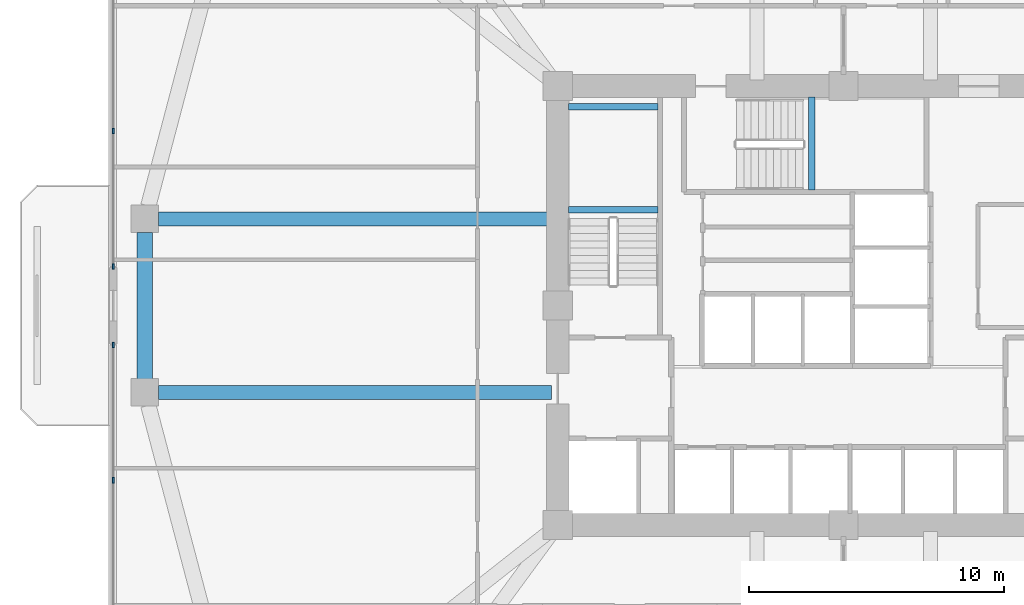
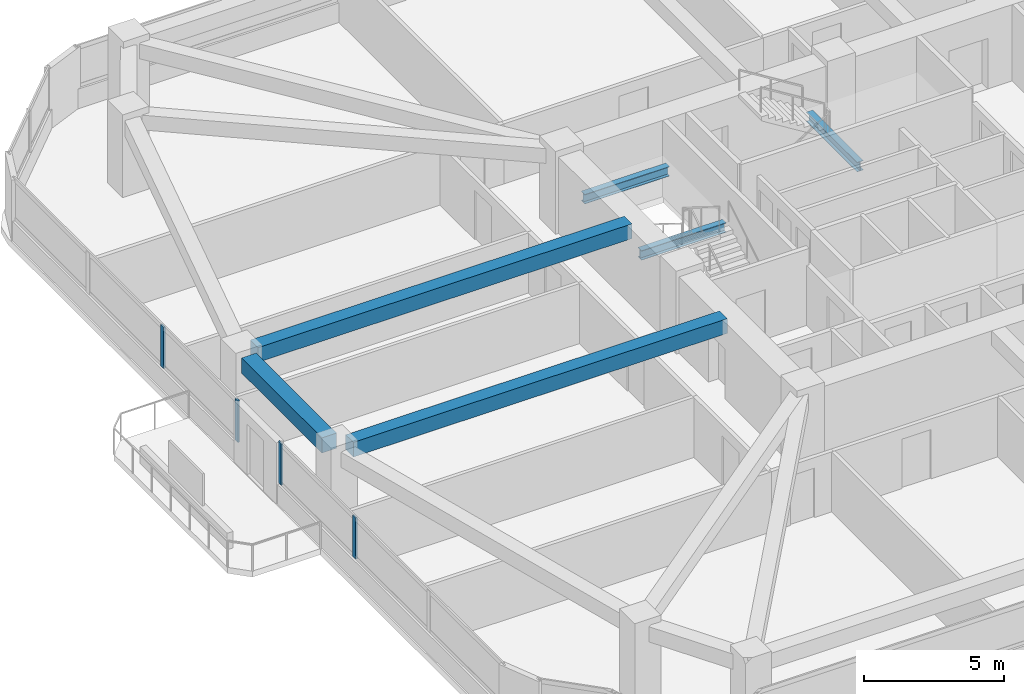
# One storey, part 4 of 15: 6 beams, 4 members, 2 elements without a shape of their own.
"""IFC4 building model written with IfcOpenShell, lengths in metres."""

from ifc_helpers import new_model, si_unit, derived_unit, direction, frame, origin, origin_2d, place, context, subcontext, project, spatial, rectangle, i_section, extrude, material, material_profile, profile_set, type_object, element, aggregate, save


model = new_model("IFC4")

# Units and contexts
model_context = context("Model", 3, precision=1e-05, world=origin(), true_north=direction((0.0, 1.0)))
body_context = subcontext(model_context, "Body", "Model", "MODEL_VIEW")
ifc_project = project(units=[si_unit("LENGTHUNIT", "METRE"), si_unit("AREAUNIT", "SQUARE_METRE"), si_unit("VOLUMEUNIT", "CUBIC_METRE"), si_unit("PLANEANGLEUNIT", "RADIAN"), si_unit("MASSUNIT", "GRAM", prefix="KILO"), derived_unit("THERMALTRANSMITTANCEUNIT", [(si_unit("POWERUNIT", "WATT"), 1), (si_unit("LENGTHUNIT", "METRE"), -2), (si_unit("THERMODYNAMICTEMPERATUREUNIT", "KELVIN"), -1)])], contexts=[model_context])

# Site, building, storey
site_placement = place(None, origin())
site = spatial("IfcSite", under=ifc_project, at=site_placement, CompositionType="ELEMENT")
building_placement = place(site_placement, origin())
building = spatial("IfcBuilding", under=site, at=building_placement, Name="Koralith Skygarden Medical Center", CompositionType="ELEMENT")
storey_placement = place(building_placement, frame((0.0, 0.0, 41.93994140625)))
storey = spatial("IfcBuildingStorey", under=building, at=storey_placement, Name="L10", CompositionType="ELEMENT", Elevation=41.93994140625)

# Curtain wall, members
ifc_material_1 = material(Name="Clear Laminated Glass", Category="glass")
curtain_wall_type = type_object("IfcCurtainWallType", Name="CW-2 Zone 1 Hurricane Unitised Curtain Wall", PredefinedType="NOTDEFINED", material=ifc_material_1)
curtain_wall_1_placement = place(storey_placement, origin())
curtain_wall_1 = element("IfcCurtainWall", 1, at=curtain_wall_1_placement, inside=storey, type_object=curtain_wall_type, Name="Curtain Wall CW-L10-W-L", PredefinedType="NOTDEFINED")
ifc_material_2 = material(Name="Aluminium 6063-T6", Category="aluminium")
ifc_material_profile_1 = material_profile(ifc_material_2, rectangle(XDim=0.071044921875, YDim=0.219970703125, at=origin_2d()), Name="MUL71X220")
ifc_profile_set_1 = profile_set([ifc_material_profile_1], Name="Aluminium 6063-T6")
member_type = type_object("IfcMemberType", Name="CW-2 Extruded Mullion 71x220", PredefinedType="MULLION", material=ifc_profile_set_1)
member_1_placement = place(storey_placement, frame((8.3798828125, 32.741943359375, 0.85009765625), z_axis=(0.0, 0.0, 1.0), x_axis=(1.0, 0.0, 0.0)))
member_1 = element("IfcMember", 2, at=member_1_placement, type_object=member_type, Name="CW-L10-W-L Mullion 3", PredefinedType="MULLION", context=body_context, shape_type="SweptSolid", body=[
    extrude(rectangle(XDim=0.071044921875, YDim=0.219970703125, at=origin_2d()), origin(), (0.0, 0.0, 1.0), 1.800048828125),
])
member_2_placement = place(storey_placement, frame((8.3798828125, 27.43994140625, 0.85009765625), z_axis=(0.0, 0.0, 1.0), x_axis=(1.0, 0.0, 0.0)))
member_2 = element("IfcMember", 3, at=member_2_placement, type_object=member_type, Name="CW-L10-W-L Mullion 4", PredefinedType="MULLION", context=body_context, shape_type="SweptSolid", body=[
    extrude(rectangle(XDim=0.071044921875, YDim=0.219970703125, at=origin_2d()), origin(), (0.0, 0.0, 1.0), 1.800048828125),
])
aggregate(curtain_wall_1, [member_1, member_2])

curtain_wall_2_placement = place(storey_placement, origin())
curtain_wall_2 = element("IfcCurtainWall", 4, at=curtain_wall_2_placement, inside=storey, type_object=curtain_wall_type, Name="Curtain Wall CW-L10-W-R", PredefinedType="NOTDEFINED")
member_3_placement = place(storey_placement, frame((8.3798828125, 24.360107421875, 0.85009765625), z_axis=(0.0, 0.0, 1.0), x_axis=(1.0, 0.0, 0.0)))
member_3 = element("IfcMember", 5, at=member_3_placement, type_object=member_type, Name="CW-L10-W-R Mullion 1", PredefinedType="MULLION", context=body_context, shape_type="SweptSolid", body=[
    extrude(rectangle(XDim=0.071044921875, YDim=0.219970703125, at=origin_2d()), origin(), (0.0, 0.0, 1.0), 1.800048828125),
])
member_4_placement = place(storey_placement, frame((8.3798828125, 19.05810546875, 0.85009765625), z_axis=(0.0, 0.0, 1.0), x_axis=(1.0, 0.0, 0.0)))
member_4 = element("IfcMember", 6, at=member_4_placement, type_object=member_type, Name="CW-L10-W-R Mullion 2", PredefinedType="MULLION", context=body_context, shape_type="SweptSolid", body=[
    extrude(rectangle(XDim=0.071044921875, YDim=0.219970703125, at=origin_2d()), origin(), (0.0, 0.0, 1.0), 1.800048828125),
])
aggregate(curtain_wall_2, [member_3, member_4])

# Beams
ifc_material_3 = material(Name="Steel ASTM A992 Grade 50", Category="steel")
ifc_material_profile_2 = material_profile(ifc_material_3, i_section(OverallWidth=0.260009765625, OverallDepth=0.4150390625, WebThickness=0.010009765625, FlangeThickness=0.016845703125, at=origin_2d()), Name="W16X67")
ifc_profile_set_2 = profile_set([ifc_material_profile_2], Name="Steel ASTM A992 Grade 50")
beam_type_1 = type_object("IfcBeamType", Name="Clinical Floor Joist W16X67", PredefinedType="JOIST", material=ifc_profile_set_2)
for number, where, z_axis, x_axis, name in (
    (7, (26.22998046875, 29.659912109375, 1.39208984375), (1.0, 0.0, 0.0), (0.0, 1.0, 0.0), "L10 Stair ST1 Half-Landing Support Beam 1A"),
    (8, (26.22998046875, 33.699951171875, 1.39208984375), (1.0, 0.0, 0.0), (0.0, 1.0, 0.0), "L10 Stair ST1 Half-Landing Support Beam 1B"),
):
    element("IfcBeam", number, at=place(storey_placement, frame(where, z_axis=z_axis, x_axis=x_axis)), inside=storey, type_object=beam_type_1, Name=name, PredefinedType="JOIST", context=body_context, shape_type="SweptSolid", body=[
        extrude(i_section(OverallWidth=0.260009765625, OverallDepth=0.4150390625, WebThickness=0.010009765625, FlangeThickness=0.016845703125, at=origin_2d()), origin(), (0.0, 0.0, 1.0), 3.489990234375),
    ])
beam_1_placement = place(storey_placement, frame((35.760009765625, 30.43994140625, 1.39208984375), z_axis=(0.0, 1.0, 0.0), x_axis=(-1.0, 0.0, 0.0)))
element("IfcBeam", 9, at=beam_1_placement, inside=storey, type_object=beam_type_1, Name="L10 Stair ST3 Half-Landing Support Beam 1A", PredefinedType="JOIST", context=body_context, shape_type="SweptSolid", body=[
    extrude(i_section(OverallWidth=0.260009765625, OverallDepth=0.4150390625, WebThickness=0.010009765625, FlangeThickness=0.016845703125, at=origin_2d()), origin(), (0.0, 0.0, 1.0), 3.630126953125),
])
ifc_material_4 = material(Name="Concrete C45/55", Category="concrete")
ifc_material_profile_3 = material_profile(ifc_material_4, rectangle(XDim=0.550048828125, YDim=0.639892578125, at=origin_2d()), Name="RCB550X640")
ifc_profile_set_3 = profile_set([ifc_material_profile_3], Name="Concrete C45/55")
beam_type_2 = type_object("IfcBeamType", Name="Radial Collector Beam RCB550X640", PredefinedType="BEAM", material=ifc_profile_set_3)
for number, where, z_axis, x_axis, name in (
    (10, (25.550048828125, 22.5, 3.0), (-1.0, 0.0, 0.0), (0.0, -1.0, 0.0), "L10 Radial Collector Beam RB-01"),
    (11, (25.550048828125, 29.300048828125, 3.0), (-1.0, 0.0, 0.0), (0.0, -1.0, 0.0), "L10 Radial Collector Beam RB-16"),
):
    element("IfcBeam", number, at=place(storey_placement, frame(where, z_axis=z_axis, x_axis=x_axis)), inside=storey, type_object=beam_type_2, Name=name, PredefinedType="BEAM", context=body_context, shape_type="SweptSolid", body=[
        extrude(rectangle(XDim=0.550048828125, YDim=0.639892578125, at=origin_2d()), origin(), (0.0, 0.0, 1.0), 15.400146484375),
    ])
ifc_material_profile_4 = material_profile(ifc_material_4, rectangle(XDim=0.60009765625, YDim=0.659912109375, at=origin_2d()), Name="RCB600X660")
ifc_profile_set_4 = profile_set([ifc_material_profile_4], Name="Concrete C45/55")
beam_type_3 = type_object("IfcBeamType", Name="Zone 1 Spandrel Beam RCB600X660", PredefinedType="SPANDREL", material=ifc_profile_set_4)
beam_2_placement = place(storey_placement, frame((9.6201171875, 28.77001953125, 2.989990234375), z_axis=(0.0, -1.0, 0.0), x_axis=(1.0, 0.0, 0.0)))
element("IfcBeam", 12, at=beam_2_placement, inside=storey, type_object=beam_type_3, Name="L10 Perimeter Spandrel Beam SP-16", PredefinedType="SPANDREL", context=body_context, shape_type="SweptSolid", body=[
    extrude(rectangle(XDim=0.60009765625, YDim=0.659912109375, at=origin_2d()), origin(), (0.0, 0.0, 1.0), 5.739990234375),
])

save(model, "model.ifc")
